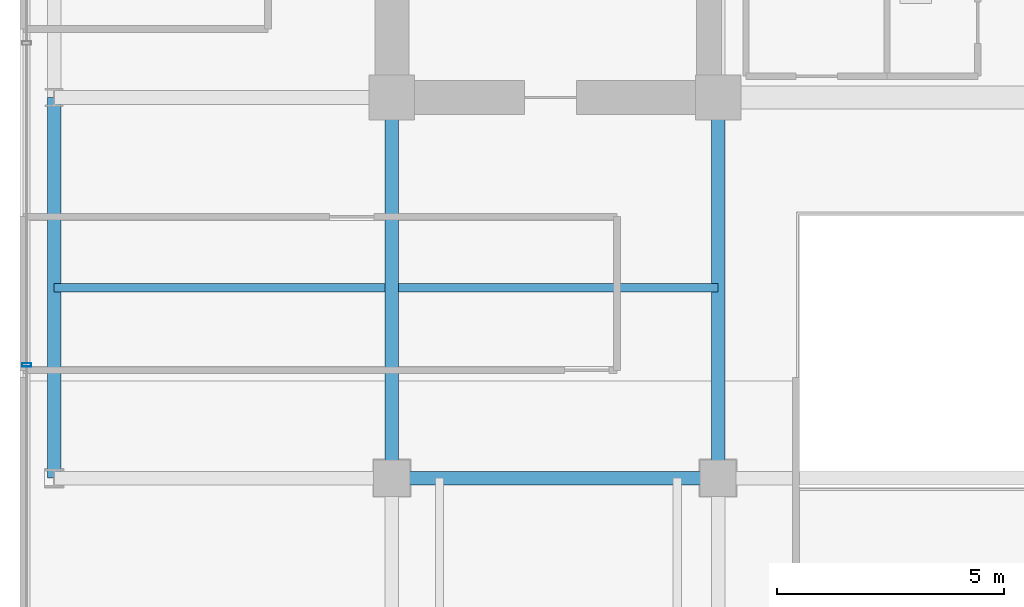
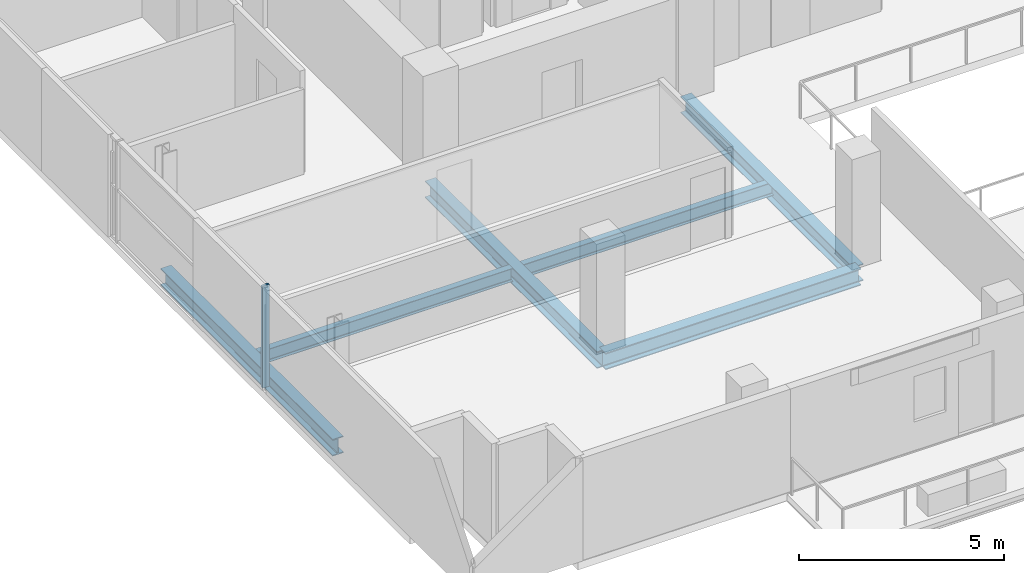
# One storey, part 4 of 22: 6 beams, 1 member, 1 element without a shape of its own.
"""IFC4 building model written with IfcOpenShell, lengths in metres."""

import ifcopenshell
import ifcopenshell.guid

model = None  # the IFC model being written
_history = None  # IfcOwnerHistory: only IFC2X3 demands one
_inside = {}  # id of a spatial element -> (the spatial element, [elements in it])
_under = {}  # id of a project, library or spatial element -> (it, [spatial elements below it])
_declared = {}  # id of a project -> (the project, [libraries it declares])
_typed = {}  # id of a type object -> (the type object, [elements of that type])
_made_of = {}  # id of a material, layer set ... -> (it, [elements and type objects made of it])


def new_model(schema):
    """Start an empty IFC model of exactly this schema.

    Asked for "IFC4X3", IfcOpenShell would pick the latest addendum, in which some entities
    have other attributes; the version numbers below select the first issue.
    IFC2X3 requires an IfcOwnerHistory on every rooted entity: one is made here for all.
    """
    global model, _history
    if schema == "IFC4X3":
        model = ifcopenshell.file(schema_version=(4, 3, 0, 0))
    else:
        model = ifcopenshell.file(schema=schema)
    _inside.clear()
    _under.clear()
    _declared.clear()
    _typed.clear()
    _made_of.clear()
    _history = None
    if model.schema == "IFC2X3":
        org = make("IfcOrganization", Name="unknown")
        user = make(
            "IfcPersonAndOrganization",
            ThePerson=make("IfcPerson", FamilyName="unknown"),
            TheOrganization=org,
        )
        app = make(
            "IfcApplication",
            ApplicationDeveloper=org,
            Version="unknown",
            ApplicationFullName="unknown",
            ApplicationIdentifier="unknown",
        )
        _history = make(
            "IfcOwnerHistory",
            OwningUser=user,
            OwningApplication=app,
            ChangeAction="ADDED",
            CreationDate=0,
        )
    return model


def make(cls, **values):
    """One entity of the class cls with the attributes given. An attribute that is None is left unset."""
    return model.create_entity(
        cls, **{name: value for name, value in values.items() if value is not None}
    )


def rooted(cls, **values):
    """An entity with a GlobalId (a new one), such as an element, a storey or a relation."""
    return make(cls, GlobalId=ifcopenshell.guid.new(), OwnerHistory=_history, **values)


def si_unit(unit_type, name, prefix=None):
    """IfcSIUnit, for example si_unit("LENGTHUNIT", "METRE", prefix="MILLI")."""
    return make("IfcSIUnit", UnitType=unit_type, Prefix=prefix, Name=name)


def assignment(units):
    """IfcUnitAssignment: the units of a project."""
    return None if units is None else make("IfcUnitAssignment", Units=units)


def point(xyz):
    """IfcCartesianPoint."""
    return None if xyz is None else make("IfcCartesianPoint", Coordinates=xyz)


def direction(xyz):
    """IfcDirection."""
    return None if xyz is None else make("IfcDirection", DirectionRatios=xyz)


def frame(location, z_axis=None, x_axis=None):
    """IfcAxis2Placement3D, a coordinate frame: its origin and axes. An axis left out is left unset."""
    return make(
        "IfcAxis2Placement3D",
        Location=point(location),
        Axis=direction(z_axis),
        RefDirection=direction(x_axis),
    )


def frame_2d(location, x_axis=None):
    """IfcAxis2Placement2D, a coordinate frame in the plane: its origin and x axis."""
    return make(
        "IfcAxis2Placement2D", Location=point(location), RefDirection=direction(x_axis)
    )


def origin():
    """The frame at (0, 0, 0) with its axes left unset."""
    return frame((0.0, 0.0, 0.0))


def origin_2d():
    """The frame at (0, 0) in the plane with its x axis left unset."""
    return frame_2d((0.0, 0.0))


def place(relative_to, where):
    """IfcLocalPlacement: puts the frame where relative to a parent placement (None: the world)."""
    return make(
        "IfcLocalPlacement", PlacementRelTo=relative_to, RelativePlacement=where
    )


def context(
    kind, dimensions, precision=None, world=None, true_north=None, identifier=None
):
    """IfcGeometricRepresentationContext, for example the 3D "Model" context."""
    return make(
        "IfcGeometricRepresentationContext",
        ContextIdentifier=identifier,
        ContextType=kind,
        CoordinateSpaceDimension=dimensions,
        Precision=precision,
        WorldCoordinateSystem=world,
        TrueNorth=true_north,
    )


def subcontext(parent, identifier, kind, view, scale=None):
    """IfcGeometricRepresentationSubContext, for example "Body" below "Model"."""
    return make(
        "IfcGeometricRepresentationSubContext",
        ContextIdentifier=identifier,
        ContextType=kind,
        ParentContext=parent,
        TargetScale=scale,
        TargetView=view,
    )


def project(units=None, contexts=None):
    """IfcProject with its units and contexts."""
    return rooted(
        "IfcProject",
        Name="project",
        RepresentationContexts=contexts,
        UnitsInContext=assignment(units),
    )


def spatial(cls, under=None, at=None, **own):
    """A site, building, storey or space (cls), placed at a placement, below another one or the project."""
    s = rooted(cls, ObjectPlacement=at, **own)
    if under is not None:
        _under.setdefault(under.id(), (under, []))[1].append(s)
    return s


def profile(cls, at=None, kind="AREA", **sizes):
    """A parametric profile (cls). Its sizes go by their IFC names, for example OverallWidth=200.0."""
    return make(cls, ProfileType=kind, Position=at, **sizes)


def hollow_rectangle(**sizes):
    """IfcRectangleHollowProfileDef."""
    return profile("IfcRectangleHollowProfileDef", **sizes)


def i_section(**sizes):
    """IfcIShapeProfileDef."""
    return profile("IfcIShapeProfileDef", **sizes)


def extrude(swept, where, along, depth):
    """IfcExtrudedAreaSolid: the profile swept, set in the frame where, extruded along a direction by depth."""
    return make(
        "IfcExtrudedAreaSolid",
        SweptArea=swept,
        Position=where,
        ExtrudedDirection=direction(along),
        Depth=depth,
    )


def shape(context_of_items, identifier, shape_type, items):
    """IfcShapeRepresentation: the items that make up one representation, for example the "Body"."""
    return make(
        "IfcShapeRepresentation",
        ContextOfItems=context_of_items,
        RepresentationIdentifier=identifier,
        RepresentationType=shape_type,
        Items=items,
    )


def source(mapping_origin, context_of_items, identifier, shape_type, items):
    """IfcRepresentationMap: a shape defined once, which mapped items show again and again."""
    return make(
        "IfcRepresentationMap",
        MappingOrigin=mapping_origin,
        MappedRepresentation=shape(context_of_items, identifier, shape_type, items),
    )


def transform(
    local_origin,
    x_axis=None,
    y_axis=None,
    z_axis=None,
    scale=None,
    scale2=None,
    scale3=None,
    uniform=True,
):
    """IfcCartesianTransformationOperator3D, or its non-uniform kind. x_axis, y_axis, z_axis: its Axis1, 2, 3."""
    if uniform:
        return make(
            "IfcCartesianTransformationOperator3D",
            Axis1=direction(x_axis),
            Axis2=direction(y_axis),
            LocalOrigin=point(local_origin),
            Scale=scale,
            Axis3=direction(z_axis),
        )
    return make(
        "IfcCartesianTransformationOperator3DnonUniform",
        Axis1=direction(x_axis),
        Axis2=direction(y_axis),
        LocalOrigin=point(local_origin),
        Scale=scale,
        Axis3=direction(z_axis),
        Scale2=scale2,
        Scale3=scale3,
    )


def mapped(mapping_source, mapping_target):
    """IfcMappedItem: shows the shape of a source again, moved by a transform."""
    return make(
        "IfcMappedItem", MappingSource=mapping_source, MappingTarget=mapping_target
    )


def material(Name=None, Category=None):
    """IfcMaterial."""
    return make("IfcMaterial", Name=Name, Category=Category)


def layer(
    of_material, thickness, ventilated=None, Name=None, Category=None, Priority=None
):
    """IfcMaterialLayer: one layer of a wall or slab, of a material (None: an air gap)."""
    return make(
        "IfcMaterialLayer",
        Material=of_material,
        LayerThickness=thickness,
        IsVentilated=ventilated,
        Name=Name,
        Category=Category,
        Priority=Priority,
    )


def layer_set(layers, Name=None):
    """IfcMaterialLayerSet."""
    return make("IfcMaterialLayerSet", MaterialLayers=layers, LayerSetName=Name)


def material_profile(
    of_material, cross_section, Name=None, Category=None, Priority=None
):
    """IfcMaterialProfile: a cross section and its material."""
    return make(
        "IfcMaterialProfile",
        Name=Name,
        Material=of_material,
        Profile=cross_section,
        Priority=Priority,
        Category=Category,
    )


def profile_set(profiles, Name=None, composite=None):
    """IfcMaterialProfileSet."""
    return make(
        "IfcMaterialProfileSet",
        Name=Name,
        MaterialProfiles=profiles,
        CompositeProfile=composite,
    )


def made_of(thing, what):
    """Note that an element or type object is made of a material, layer set ...; save() writes the relation."""
    if what is not None:
        _made_of.setdefault(what.id(), (what, []))[1].append(thing)
    return thing


def type_object(cls, material=None, **own):
    """A type object (cls), such as IfcWallType, which elements share."""
    return made_of(rooted(cls, **own), material)


def element(
    cls,
    number,
    at=None,
    inside=None,
    cuts=None,
    type_object=None,
    material=None,
    context=None,
    identifier="Body",
    shape_type=None,
    held_by="IfcProductDefinitionShape",
    body=None,
    shapes=None,
    **own,
):
    """One element of the class cls, such as IfcWall. Its Tag is "e" and its number.

    at: its placement. inside: the storey or other place that contains it. cuts: it is an
    opening in that element (IfcRelVoidsElement). A single representation is given by context,
    identifier, shape_type and body (its items); several are given by shapes. held_by: the class
    of the entity that holds the representations. save() writes the other relations.
    """
    e = rooted(cls, Tag="e%d" % number, ObjectPlacement=at, **own)
    if body is not None:
        shapes = [shape(context, identifier, shape_type, body)]
    if shapes is not None:
        e.Representation = make(held_by, Representations=shapes)
    if inside is not None:
        _inside.setdefault(inside.id(), (inside, []))[1].append(e)
    if cuts is not None:
        rooted(
            "IfcRelVoidsElement", RelatingBuildingElement=cuts, RelatedOpeningElement=e
        )
    if type_object is not None:
        _typed.setdefault(type_object.id(), (type_object, []))[1].append(e)
    return made_of(e, material)


def aggregate(whole, parts):
    """IfcRelAggregates: a whole, such as a stair, and the parts it consists of."""
    return rooted("IfcRelAggregates", RelatingObject=whole, RelatedObjects=parts)


def save(model, path):
    """Write the relations noted so far, then the file.

    IfcRelAggregates (storeys below a building ...), IfcRelContainedInSpatialStructure (elements
    in a storey), IfcRelDefinesByType, IfcRelAssociatesMaterial and IfcRelDeclares: one each for
    every whole, place, type object, material and project.
    """
    for whole, parts in _under.values():
        aggregate(whole, parts)
    for where, things in _inside.values():
        rooted(
            "IfcRelContainedInSpatialStructure",
            RelatedElements=things,
            RelatingStructure=where,
        )
    for kind, things in _typed.values():
        rooted("IfcRelDefinesByType", RelatedObjects=things, RelatingType=kind)
    for what, things in _made_of.values():
        rooted("IfcRelAssociatesMaterial", RelatedObjects=things, RelatingMaterial=what)
    for by, libraries in _declared.values():
        rooted("IfcRelDeclares", RelatingContext=by, RelatedDefinitions=libraries)
    model.write(path)


model = new_model("IFC4")

# Units and contexts
model_context = context("Model", 3, precision=1e-05, world=origin(), true_north=direction((0.0, 1.0)))
body_context = subcontext(model_context, "Body", "Model", "MODEL_VIEW")
ifc_project = project(units=[si_unit("LENGTHUNIT", "METRE"), si_unit("AREAUNIT", "SQUARE_METRE"), si_unit("VOLUMEUNIT", "CUBIC_METRE"), si_unit("PLANEANGLEUNIT", "RADIAN"), si_unit("MASSUNIT", "GRAM", prefix="KILO")], contexts=[model_context])

# Site, building, storey
site_placement = place(None, origin())
site = spatial("IfcSite", under=ifc_project, at=site_placement, CompositionType="ELEMENT")
building_placement = place(site_placement, origin())
building = spatial("IfcBuilding", under=site, at=building_placement, Name="Zarnakvel Exchange Tower", CompositionType="ELEMENT")
storey_placement = place(building_placement, frame((0.0, 0.0, 195.699951171875)))
storey = spatial("IfcBuildingStorey", under=building, at=storey_placement, Name="L55", CompositionType="ELEMENT", Elevation=195.699951171875)

# Beams
ifc_material_1 = material(Name="Steel S355", Category="steel")
ifc_material_profile_1 = material_profile(ifc_material_1, i_section(OverallWidth=0.179931640625, OverallDepth=0.39990234375, WebThickness=0.008544921875, FlangeThickness=0.013427734375, FilletRadius=0.02099609375, at=origin_2d()))
ifc_profile_set_1 = profile_set([ifc_material_profile_1], Name="Steel S355")
beam_type_1 = type_object("IfcBeamType", Name="B-06", PredefinedType="JOIST", material=ifc_profile_set_1)
beam_1_placement = place(storey_placement, frame((-21.85009765625, -5.39990234375, -0.425048828125), z_axis=(1.0, 0.0, 0.0), x_axis=(0.0, 1.0, 0.0)))
element("IfcBeam", 1, at=beam_1_placement, inside=storey, type_object=beam_type_1, Name="L55 Composite Floor Secondary Joist", PredefinedType="JOIST", context=body_context, shape_type="SweptSolid", body=[
    extrude(i_section(OverallWidth=0.179931640625, OverallDepth=0.39990234375, WebThickness=0.008544921875, FlangeThickness=0.013427734375, FilletRadius=0.02099609375, at=origin_2d()), origin(), (0.0, 0.0, 1.0), 7.300048828125),
])
beam_2_placement = place(storey_placement, frame((-14.25, -5.39990234375, -0.425048828125), z_axis=(1.0, 0.0, 0.0), x_axis=(0.0, 1.0, 0.0)))
element("IfcBeam", 2, at=beam_2_placement, inside=storey, type_object=beam_type_1, Name="L55 Composite Floor Secondary Joist", PredefinedType="JOIST", context=body_context, shape_type="SweptSolid", body=[
    extrude(i_section(OverallWidth=0.179931640625, OverallDepth=0.39990234375, WebThickness=0.008544921875, FlangeThickness=0.013427734375, FilletRadius=0.02099609375, at=origin_2d()), origin(), (0.0, 0.0, 1.0), 7.050048828125),
])
ifc_material_profile_2 = material_profile(ifc_material_1, i_section(OverallWidth=0.300048828125, OverallDepth=0.5, WebThickness=0.014404296875, FlangeThickness=0.028076171875, FilletRadius=0.027099609375, at=origin_2d()))
ifc_profile_set_2 = profile_set([ifc_material_profile_2], Name="Steel S355")
beam_type_2 = type_object("IfcBeamType", Name="G-06", PredefinedType="BEAM", material=ifc_profile_set_2)
beam_3_placement = place(storey_placement, frame((-14.39990234375, -9.60009765625, -0.474853515625), z_axis=(1.0, 0.0, 0.0), x_axis=(0.0, 1.0, 0.0)))
element("IfcBeam", 3, at=beam_3_placement, inside=storey, type_object=beam_type_2, Name="L55 Tower E-W Frame Beam", PredefinedType="BEAM", context=body_context, shape_type="SweptSolid", body=[
    extrude(i_section(OverallWidth=0.300048828125, OverallDepth=0.5, WebThickness=0.014404296875, FlangeThickness=0.028076171875, FilletRadius=0.027099609375, at=origin_2d()), origin(), (0.0, 0.0, 1.0), 7.199951171875),
])
for number, where, z_axis, x_axis, name in (
    (4, (-14.39990234375, -9.60009765625, -0.474853515625), (0.0, 1.0, 0.0), (-1.0, 0.0, 0.0), "L55 Tower N-S Frame Beam"),
    (5, (-7.199951171875, -9.60009765625, -0.474853515625), (0.0, 1.0, 0.0), (-1.0, 0.0, 0.0), "L55 Tower N-S Frame Beam"),
):
    element("IfcBeam", number, at=place(storey_placement, frame(where, z_axis=z_axis, x_axis=x_axis)), inside=storey, type_object=beam_type_2, Name=name, PredefinedType="BEAM", context=body_context, shape_type="SweptSolid", body=[
        extrude(i_section(OverallWidth=0.300048828125, OverallDepth=0.5, WebThickness=0.014404296875, FlangeThickness=0.028076171875, FilletRadius=0.027099609375, at=origin_2d()), origin(), (0.0, 0.0, 1.0), 8.400146484375),
    ])
ifc_material_profile_3 = material_profile(ifc_material_1, i_section(OverallWidth=0.300048828125, OverallDepth=0.5, WebThickness=0.014404296875, FlangeThickness=0.028076171875, FilletRadius=0.027099609375, at=origin_2d()))
ifc_profile_set_3 = profile_set([ifc_material_profile_3], Name="Steel S355")
beam_type_3 = type_object("IfcBeamType", Name="SP-02", PredefinedType="SPANDREL", material=ifc_profile_set_3)
beam_4_placement = place(storey_placement, frame((-21.85009765625, -9.60009765625, -0.474853515625), z_axis=(0.0, 1.0, 0.0), x_axis=(-1.0, 0.0, 0.0)))
element("IfcBeam", 6, at=beam_4_placement, inside=storey, type_object=beam_type_3, Name="L55 Tower N-S Frame Beam", PredefinedType="SPANDREL", context=body_context, shape_type="SweptSolid", body=[
    extrude(i_section(OverallWidth=0.300048828125, OverallDepth=0.5, WebThickness=0.014404296875, FlangeThickness=0.028076171875, FilletRadius=0.027099609375, at=origin_2d()), origin(), (0.0, 0.0, 1.0), 8.400146484375),
])

# Curtain wall, member
ifc_material_2 = material(Name="Architectural Bronze Anodised Aluminium", Category="aluminium")
ifc_layer = layer(ifc_material_2, 0.199951171875)
ifc_layer_set = layer_set([ifc_layer], Name="Architectural Bronze Anodised Aluminium")
curtain_wall_type = type_object("IfcCurtainWallType", Name="CW-04", PredefinedType="NOTDEFINED", material=ifc_layer_set)
curtain_wall_placement = place(storey_placement, origin())
curtain_wall = element("IfcCurtainWall", 7, at=curtain_wall_placement, inside=storey, type_object=curtain_wall_type, Name="L55 Curtain Wall CW-L55-W1 (CW-04)", PredefinedType="NOTDEFINED")
ifc_material_profile_4 = material_profile(ifc_material_2, hollow_rectangle(XDim=0.199951171875, YDim=0.074951171875, WallThickness=0.0048828125, at=origin_2d()))
ifc_profile_set_4 = profile_set([ifc_material_profile_4], Name="Architectural Bronze Anodised Aluminium")
member_type = type_object("IfcMemberType", Name="CWM-04", PredefinedType="MULLION", material=ifc_profile_set_4)
shared_shape = source(origin(), body_context, "Body", "SweptSolid", [
    extrude(hollow_rectangle(XDim=0.199951171875, YDim=0.074951171875, WallThickness=0.0048828125, at=origin_2d()), origin(), (0.0, 0.0, 1.0), 3.030029296875),
])
member_placement = place(storey_placement, frame((-22.4599609375, -7.10009765625, 0.0), z_axis=(0.0, 0.0, 1.0), x_axis=(-1.0, 0.0, 0.0)))
member = element("IfcMember", 8, at=member_placement, type_object=member_type, Name="CW-04 mullion 2", PredefinedType="MULLION", context=body_context, shape_type="MappedRepresentation", body=[
    mapped(shared_shape, transform((0.0, 0.0, 0.0), x_axis=(1.0, 0.0, 0.0), y_axis=(0.0, 1.0, 0.0), z_axis=(0.0, 0.0, 1.0), scale=1.0)),
])
aggregate(curtain_wall, [member])

save(model, "model.ifc")
